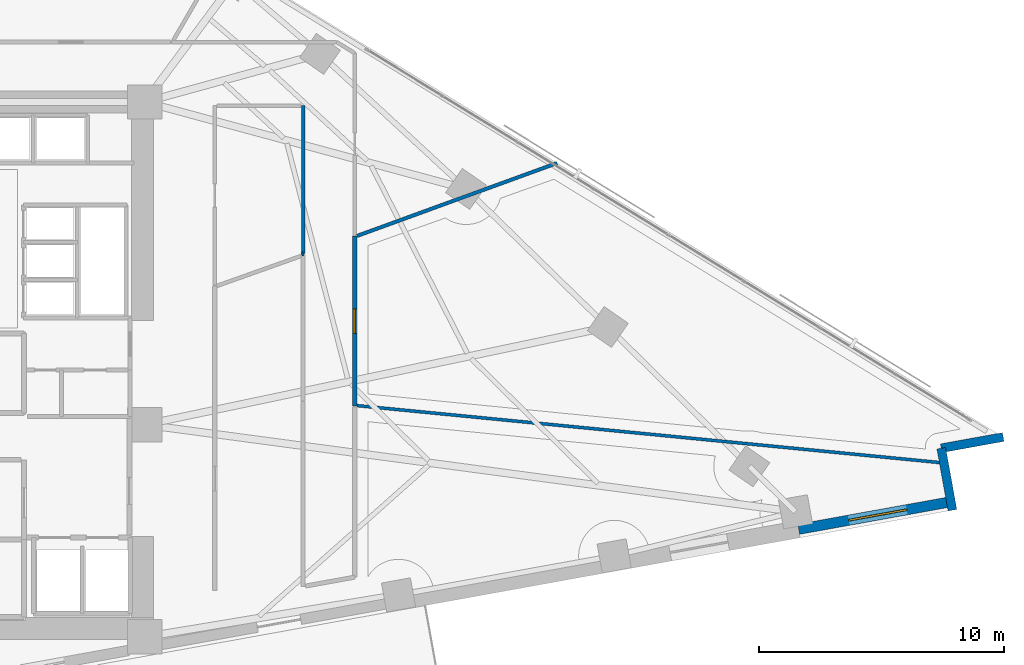
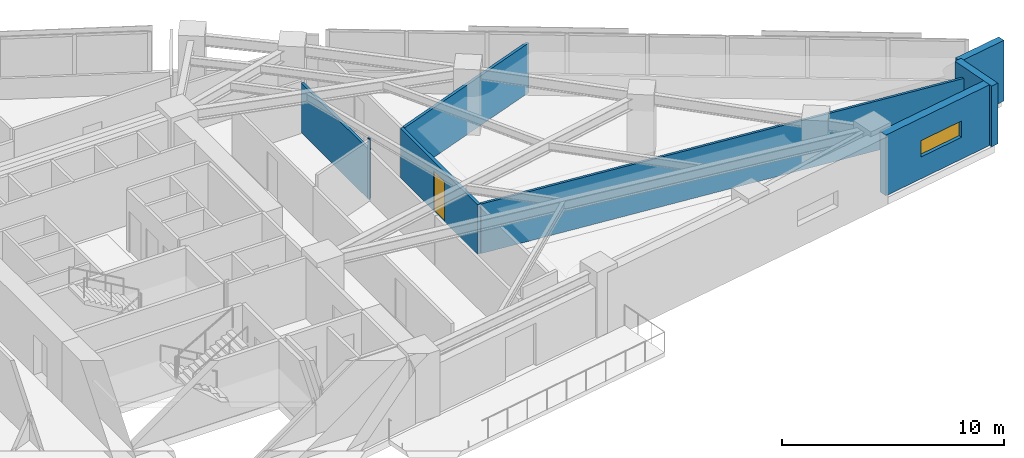
# One storey, part 15 of 18: 8 walls, 1 door, 1 window, 2 openings.
"""IFC4 building model written with IfcOpenShell, lengths in metres."""

import ifcopenshell
import ifcopenshell.guid

model = None  # the IFC model being written
_history = None  # IfcOwnerHistory: only IFC2X3 demands one
_inside = {}  # id of a spatial element -> (the spatial element, [elements in it])
_under = {}  # id of a project, library or spatial element -> (it, [spatial elements below it])
_declared = {}  # id of a project -> (the project, [libraries it declares])
_typed = {}  # id of a type object -> (the type object, [elements of that type])
_made_of = {}  # id of a material, layer set ... -> (it, [elements and type objects made of it])


def new_model(schema):
    """Start an empty IFC model of exactly this schema.

    Asked for "IFC4X3", IfcOpenShell would pick the latest addendum, in which some entities
    have other attributes; the version numbers below select the first issue.
    IFC2X3 requires an IfcOwnerHistory on every rooted entity: one is made here for all.
    """
    global model, _history
    if schema == "IFC4X3":
        model = ifcopenshell.file(schema_version=(4, 3, 0, 0))
    else:
        model = ifcopenshell.file(schema=schema)
    _inside.clear()
    _under.clear()
    _declared.clear()
    _typed.clear()
    _made_of.clear()
    _history = None
    if model.schema == "IFC2X3":
        org = make("IfcOrganization", Name="unknown")
        user = make(
            "IfcPersonAndOrganization",
            ThePerson=make("IfcPerson", FamilyName="unknown"),
            TheOrganization=org,
        )
        app = make(
            "IfcApplication",
            ApplicationDeveloper=org,
            Version="unknown",
            ApplicationFullName="unknown",
            ApplicationIdentifier="unknown",
        )
        _history = make(
            "IfcOwnerHistory",
            OwningUser=user,
            OwningApplication=app,
            ChangeAction="ADDED",
            CreationDate=0,
        )
    return model


def make(cls, **values):
    """One entity of the class cls with the attributes given. An attribute that is None is left unset."""
    return model.create_entity(
        cls, **{name: value for name, value in values.items() if value is not None}
    )


def rooted(cls, **values):
    """An entity with a GlobalId (a new one), such as an element, a storey or a relation."""
    return make(cls, GlobalId=ifcopenshell.guid.new(), OwnerHistory=_history, **values)


def si_unit(unit_type, name, prefix=None):
    """IfcSIUnit, for example si_unit("LENGTHUNIT", "METRE", prefix="MILLI")."""
    return make("IfcSIUnit", UnitType=unit_type, Prefix=prefix, Name=name)


def assignment(units):
    """IfcUnitAssignment: the units of a project."""
    return None if units is None else make("IfcUnitAssignment", Units=units)


def point(xyz):
    """IfcCartesianPoint."""
    return None if xyz is None else make("IfcCartesianPoint", Coordinates=xyz)


def direction(xyz):
    """IfcDirection."""
    return None if xyz is None else make("IfcDirection", DirectionRatios=xyz)


def frame(location, z_axis=None, x_axis=None):
    """IfcAxis2Placement3D, a coordinate frame: its origin and axes. An axis left out is left unset."""
    return make(
        "IfcAxis2Placement3D",
        Location=point(location),
        Axis=direction(z_axis),
        RefDirection=direction(x_axis),
    )


def frame_2d(location, x_axis=None):
    """IfcAxis2Placement2D, a coordinate frame in the plane: its origin and x axis."""
    return make(
        "IfcAxis2Placement2D", Location=point(location), RefDirection=direction(x_axis)
    )


def origin():
    """The frame at (0, 0, 0) with its axes left unset."""
    return frame((0.0, 0.0, 0.0))


def place(relative_to, where):
    """IfcLocalPlacement: puts the frame where relative to a parent placement (None: the world)."""
    return make(
        "IfcLocalPlacement", PlacementRelTo=relative_to, RelativePlacement=where
    )


def context(
    kind, dimensions, precision=None, world=None, true_north=None, identifier=None
):
    """IfcGeometricRepresentationContext, for example the 3D "Model" context."""
    return make(
        "IfcGeometricRepresentationContext",
        ContextIdentifier=identifier,
        ContextType=kind,
        CoordinateSpaceDimension=dimensions,
        Precision=precision,
        WorldCoordinateSystem=world,
        TrueNorth=true_north,
    )


def subcontext(parent, identifier, kind, view, scale=None):
    """IfcGeometricRepresentationSubContext, for example "Body" below "Model"."""
    return make(
        "IfcGeometricRepresentationSubContext",
        ContextIdentifier=identifier,
        ContextType=kind,
        ParentContext=parent,
        TargetScale=scale,
        TargetView=view,
    )


def project(units=None, contexts=None):
    """IfcProject with its units and contexts."""
    return rooted(
        "IfcProject",
        Name="project",
        RepresentationContexts=contexts,
        UnitsInContext=assignment(units),
    )


def spatial(cls, under=None, at=None, **own):
    """A site, building, storey or space (cls), placed at a placement, below another one or the project."""
    s = rooted(cls, ObjectPlacement=at, **own)
    if under is not None:
        _under.setdefault(under.id(), (under, []))[1].append(s)
    return s


def profile(cls, at=None, kind="AREA", **sizes):
    """A parametric profile (cls). Its sizes go by their IFC names, for example OverallWidth=200.0."""
    return make(cls, ProfileType=kind, Position=at, **sizes)


def rectangle(**sizes):
    """IfcRectangleProfileDef."""
    return profile("IfcRectangleProfileDef", **sizes)


def extrude(swept, where, along, depth):
    """IfcExtrudedAreaSolid: the profile swept, set in the frame where, extruded along a direction by depth."""
    return make(
        "IfcExtrudedAreaSolid",
        SweptArea=swept,
        Position=where,
        ExtrudedDirection=direction(along),
        Depth=depth,
    )


def shape(context_of_items, identifier, shape_type, items):
    """IfcShapeRepresentation: the items that make up one representation, for example the "Body"."""
    return make(
        "IfcShapeRepresentation",
        ContextOfItems=context_of_items,
        RepresentationIdentifier=identifier,
        RepresentationType=shape_type,
        Items=items,
    )


def material(Name=None, Category=None):
    """IfcMaterial."""
    return make("IfcMaterial", Name=Name, Category=Category)


def layer(
    of_material, thickness, ventilated=None, Name=None, Category=None, Priority=None
):
    """IfcMaterialLayer: one layer of a wall or slab, of a material (None: an air gap)."""
    return make(
        "IfcMaterialLayer",
        Material=of_material,
        LayerThickness=thickness,
        IsVentilated=ventilated,
        Name=Name,
        Category=Category,
        Priority=Priority,
    )


def layer_set(layers, Name=None):
    """IfcMaterialLayerSet."""
    return make("IfcMaterialLayerSet", MaterialLayers=layers, LayerSetName=Name)


def made_of(thing, what):
    """Note that an element or type object is made of a material, layer set ...; save() writes the relation."""
    if what is not None:
        _made_of.setdefault(what.id(), (what, []))[1].append(thing)
    return thing


def type_object(cls, material=None, **own):
    """A type object (cls), such as IfcWallType, which elements share."""
    return made_of(rooted(cls, **own), material)


def element(
    cls,
    number,
    at=None,
    inside=None,
    cuts=None,
    type_object=None,
    material=None,
    context=None,
    identifier="Body",
    shape_type=None,
    held_by="IfcProductDefinitionShape",
    body=None,
    shapes=None,
    **own,
):
    """One element of the class cls, such as IfcWall. Its Tag is "e" and its number.

    at: its placement. inside: the storey or other place that contains it. cuts: it is an
    opening in that element (IfcRelVoidsElement). A single representation is given by context,
    identifier, shape_type and body (its items); several are given by shapes. held_by: the class
    of the entity that holds the representations. save() writes the other relations.
    """
    e = rooted(cls, Tag="e%d" % number, ObjectPlacement=at, **own)
    if body is not None:
        shapes = [shape(context, identifier, shape_type, body)]
    if shapes is not None:
        e.Representation = make(held_by, Representations=shapes)
    if inside is not None:
        _inside.setdefault(inside.id(), (inside, []))[1].append(e)
    if cuts is not None:
        rooted(
            "IfcRelVoidsElement", RelatingBuildingElement=cuts, RelatedOpeningElement=e
        )
    if type_object is not None:
        _typed.setdefault(type_object.id(), (type_object, []))[1].append(e)
    return made_of(e, material)


def fill(opening, filler):
    """IfcRelFillsElement: the door or window that sits in an opening."""
    return rooted(
        "IfcRelFillsElement",
        RelatingOpeningElement=opening,
        RelatedBuildingElement=filler,
    )


def aggregate(whole, parts):
    """IfcRelAggregates: a whole, such as a stair, and the parts it consists of."""
    return rooted("IfcRelAggregates", RelatingObject=whole, RelatedObjects=parts)


def save(model, path):
    """Write the relations noted so far, then the file.

    IfcRelAggregates (storeys below a building ...), IfcRelContainedInSpatialStructure (elements
    in a storey), IfcRelDefinesByType, IfcRelAssociatesMaterial and IfcRelDeclares: one each for
    every whole, place, type object, material and project.
    """
    for whole, parts in _under.values():
        aggregate(whole, parts)
    for where, things in _inside.values():
        rooted(
            "IfcRelContainedInSpatialStructure",
            RelatedElements=things,
            RelatingStructure=where,
        )
    for kind, things in _typed.values():
        rooted("IfcRelDefinesByType", RelatedObjects=things, RelatingType=kind)
    for what, things in _made_of.values():
        rooted("IfcRelAssociatesMaterial", RelatedObjects=things, RelatingMaterial=what)
    for by, libraries in _declared.values():
        rooted("IfcRelDeclares", RelatingContext=by, RelatedDefinitions=libraries)
    model.write(path)


model = new_model("IFC4")

# Units and contexts
model_context = context("Model", 3, precision=1e-05, world=origin(), true_north=direction((0.0, 1.0)))
body_context = subcontext(model_context, "Body", "Model", "MODEL_VIEW")
ifc_project = project(units=[si_unit("LENGTHUNIT", "METRE"), si_unit("AREAUNIT", "SQUARE_METRE"), si_unit("VOLUMEUNIT", "CUBIC_METRE"), si_unit("PLANEANGLEUNIT", "RADIAN"), si_unit("MASSUNIT", "GRAM", prefix="KILO")], contexts=[model_context])

# Site, building, storey
site_placement = place(None, origin())
site = spatial("IfcSite", under=ifc_project, at=site_placement, CompositionType="ELEMENT")
building_placement = place(site_placement, origin())
building = spatial("IfcBuilding", under=site, at=building_placement, Name="Narakoshi Arena Tower", CompositionType="ELEMENT")
storey_placement = place(building_placement, frame((0.0, 0.0, 95.699951171875)))
storey = spatial("IfcBuildingStorey", under=building, at=storey_placement, Name="L25", CompositionType="ELEMENT", Elevation=95.699951171875)

# Wall, opening, door
ifc_material_1 = material(Name="Gypsum plasterboard fire-rated partition")
ifc_layer_1 = layer(ifc_material_1, 0.1650390625)
ifc_layer_set_1 = layer_set([ifc_layer_1], Name="Gypsum plasterboard fire-rated partition")
wall_type_1 = type_object("IfcWallType", Name="WL-CORR-165", PredefinedType="PARTITIONING", material=ifc_layer_set_1)
wall_1_placement = place(storey_placement, frame((94.10498046875, 44.101806640625, 0.0), z_axis=(0.0, 0.0, 1.0), x_axis=(0.0, 1.0, 0.0)))
wall_1 = element("IfcWall", 1, at=wall_1_placement, inside=storey, type_object=wall_type_1, Name="L25 Corridor Partition 03-1", PredefinedType="PARTITIONING", context=body_context, shape_type="SweptSolid", body=[
    extrude(rectangle(XDim=6.94189453125, YDim=0.1650390625, at=frame_2d((3.470947265625, 0.0))), origin(), (0.0, 0.0, 1.0), 2.72509765625),
])
opening_1_placement = place(wall_1_placement, frame((2.970947265625, 0.0, 0.0)))
opening_1 = element("IfcOpeningElement", 2, at=opening_1_placement, cuts=wall_1, Name="Opening D-06", PredefinedType="OPENING", context=body_context, shape_type="SweptSolid", body=[
    extrude(rectangle(XDim=1.0, YDim=2.199951171875, at=frame_2d((0.5, 1.10009765625))), frame((0.0, 0.092529296875, 0.0), z_axis=(0.0, -1.0, 0.0), x_axis=(1.0, 0.0, 0.0)), (0.0, 0.0, 1.0), 0.18505859375),
])
ifc_material_2 = material(Name="Stained oak solid-core timber", Category="wood")
door_type = type_object("IfcDoorType", Name="DR-OFF-1000", OperationType="NOTDEFINED", PredefinedType="DOOR", material=ifc_material_2)
door_placement = place(opening_1_placement, frame((1.0, 0.0, 0.0), z_axis=(0.0, 0.0, 1.0), x_axis=(-1.0, 0.0, 0.0)))
door = element("IfcDoor", 3, at=door_placement, inside=storey, type_object=door_type, Name="DR-L25-017", OperationType="SINGLE_SWING_LEFT", OverallHeight=2.199951171875, OverallWidth=1.0, PredefinedType="DOOR", context=body_context, shape_type="SweptSolid", body=[
    extrude(rectangle(XDim=1.0, YDim=2.199951171875, at=frame_2d((0.5, 1.10009765625))), frame((0.0, 0.02490234375, 0.0), z_axis=(0.0, -1.0, 0.0), x_axis=(1.0, 0.0, 0.0)), (0.0, 0.0, 1.0), 0.050048828125),
])
fill(opening_1, door)

# Wall
ifc_layer_2 = layer(ifc_material_1, 0.125)
ifc_layer_set_2 = layer_set([ifc_layer_2], Name="Gypsum plasterboard fire-rated partition")
wall_type_2 = type_object("IfcWallType", Name="WL-PART-125", PredefinedType="PARTITIONING", material=ifc_layer_set_2)
wall_2_placement = place(storey_placement, frame((118.11865234375, 41.7900390625, 0.0), z_axis=(0.0, 0.0, 1.0), x_axis=(-0.995255314979, 0.097297780071, 0.0)))
element("IfcWall", 4, at=wall_2_placement, inside=storey, type_object=wall_type_2, Name="L25 Inter-Room Partition 03-04", PredefinedType="PARTITIONING", context=body_context, shape_type="SweptSolid", body=[
    extrude(rectangle(XDim=24.033203125, YDim=0.125, at=frame_2d((12.0166015625, 0.0))), origin(), (0.0, 0.0, 1.0), 2.72509765625),
])

# Wall, opening, window
ifc_material_3 = material(Name="Precast concrete C45/55", Category="concrete")
ifc_layer_3 = layer(ifc_material_3, 0.419921875)
ifc_layer_set_3 = layer_set([ifc_layer_3], Name="Precast concrete C45/55")
wall_type_3 = type_object("IfcWallType", Name="WL-POD-420", PredefinedType="SOLIDWALL", material=ifc_layer_set_3)
wall_3_placement = place(storey_placement, frame((112.198974609375, 39.086669921875, 0.0), z_axis=(0.0, 0.0, 1.0), x_axis=(0.984042888215, 0.177931431042, 0.0)))
wall_3 = element("IfcWall", 5, at=wall_3_placement, inside=storey, type_object=wall_type_3, Name="L25 Architectural Concrete Facade Wall LEGA-4", PredefinedType="SOLIDWALL", context=body_context, shape_type="SweptSolid", body=[
    extrude(rectangle(XDim=6.30615234375, YDim=0.419921875, at=frame_2d((3.153076171875, 0.0))), origin(), (0.0, 0.0, 1.0), 3.340087890625),
])
opening_2_placement = place(wall_3_placement, frame((2.0751953125, 0.0, 1.199951171875)))
opening_2 = element("IfcOpeningElement", 6, at=opening_2_placement, cuts=wall_3, Name="Opening WN-01", PredefinedType="OPENING", context=body_context, shape_type="SweptSolid", body=[
    extrude(rectangle(XDim=2.39990234375, YDim=0.89990234375, at=frame_2d((1.199951171875, 0.449951171875))), frame((0.0, 0.219970703125, 0.0), z_axis=(0.0, -1.0, 0.0), x_axis=(1.0, 0.0, 0.0)), (0.0, 0.0, 1.0), 0.43994140625),
])
ifc_material_4 = material(Name="Bronze-tinted low-E laminated glass", Category="glass")
window_type = type_object("IfcWindowType", Name="WIN-SLT-24x09", PartitioningType="SINGLE_PANEL", PredefinedType="WINDOW", material=ifc_material_4)
window_placement = place(opening_2_placement, origin())
window = element("IfcWindow", 7, at=window_placement, inside=storey, type_object=window_type, Name="L25 LEGA4 Horizontal Slot Window 1", OverallHeight=0.89990234375, OverallWidth=2.39990234375, PartitioningType="SINGLE_PANEL", PredefinedType="WINDOW", context=body_context, shape_type="SweptSolid", body=[
    extrude(rectangle(XDim=2.39990234375, YDim=0.89990234375, at=frame_2d((1.199951171875, 0.449951171875))), frame((0.0, 0.030029296875, 0.0), z_axis=(0.0, -1.0, 0.0), x_axis=(1.0, 0.0, 0.0)), (0.0, 0.0, 1.0), 0.06005859375),
])
fill(opening_2, window)

# Walls
wall_4_placement = place(storey_placement, frame((118.466796875, 39.8642578125, 0.0), z_axis=(0.0, 0.0, 1.0), x_axis=(-0.177897493713, 0.984049024048, 0.0)))
element("IfcWall", 8, at=wall_4_placement, inside=storey, type_object=wall_type_3, Name="L25 Re-Entrant Corner Notch Wall NTE-1", PredefinedType="SOLIDWALL", context=body_context, shape_type="SweptSolid", body=[
    extrude(rectangle(XDim=2.56640625, YDim=0.360107421875, at=frame_2d((1.283203125, 0.0))), origin(), (0.0, 0.0, 1.0), 3.340087890625),
])
wall_5_placement = place(storey_placement, frame((118.01025390625, 42.3896484375, 0.0), z_axis=(0.0, 0.0, 1.0), x_axis=(0.984046012923, 0.177914149102, 0.0)))
element("IfcWall", 9, at=wall_5_placement, inside=storey, type_object=wall_type_3, Name="L25 Re-Entrant Corner Notch Wall NTE-2", PredefinedType="SOLIDWALL", context=body_context, shape_type="SweptSolid", body=[
    extrude(rectangle(XDim=2.566162109375, YDim=0.360107421875, at=frame_2d((1.283203125, 0.0))), origin(), (0.0, 0.0, 1.0), 3.340087890625),
])
ifc_material_5 = material(Name="Moisture-resistant cement-board partition")
ifc_layer_4 = layer(ifc_material_5, 0.14501953125)
ifc_layer_set_4 = layer_set([ifc_layer_4], Name="Moisture-resistant cement-board partition")
wall_type_4 = type_object("IfcWallType", Name="WL-WET-145", PredefinedType="PARTITIONING", material=ifc_layer_set_4)
wall_6_placement = place(storey_placement, frame((94.199462890625, 51.04345703125, 0.0), z_axis=(0.0, 0.0, 1.0), x_axis=(0.939622453011, 0.342212866206, 0.0)))
element("IfcWall", 10, at=wall_6_placement, inside=storey, type_object=wall_type_4, Name="L25 Inter-Room Partition 03-06", PredefinedType="PARTITIONING", context=body_context, shape_type="SweptSolid", body=[
    extrude(rectangle(XDim=8.677978515625, YDim=0.14501953125, at=frame_2d((4.3388671875, 0.0))), origin(), (0.0, 0.0, 1.0), 2.72509765625),
])
wall_7_placement = place(storey_placement, frame((92.0048828125, 56.35009765625, 0.0), z_axis=(0.0, 0.0, 1.0), x_axis=(0.0, -1.0, 0.0)))
element("IfcWall", 11, at=wall_7_placement, inside=storey, type_object=wall_type_4, Name="L25 Corridor Partition 05-2", PredefinedType="PARTITIONING", context=body_context, shape_type="SweptSolid", body=[
    extrude(rectangle(XDim=6.02978515625, YDim=0.14501953125, at=frame_2d((3.014892578125, 0.0))), origin(), (0.0, 0.0, 1.0), 2.72509765625),
])
wall_8_placement = place(storey_placement, frame((92.0048828125, 50.3203125, 0.0), z_axis=(0.0, 0.0, 1.0), x_axis=(-0.94234951348, -0.334630235399, 0.0)))
element("IfcWall", 12, at=wall_8_placement, inside=storey, type_object=wall_type_4, Name="L25 Corridor Partition 05-4", PredefinedType="PARTITIONING", context=body_context, shape_type="SweptSolid", body=[
    extrude(rectangle(XDim=0.0634765625, YDim=0.14501953125, at=frame_2d((0.03173828125, 0.0))), origin(), (0.0, 0.0, 1.0), 3.340087890625),
])

save(model, "model.ifc")
